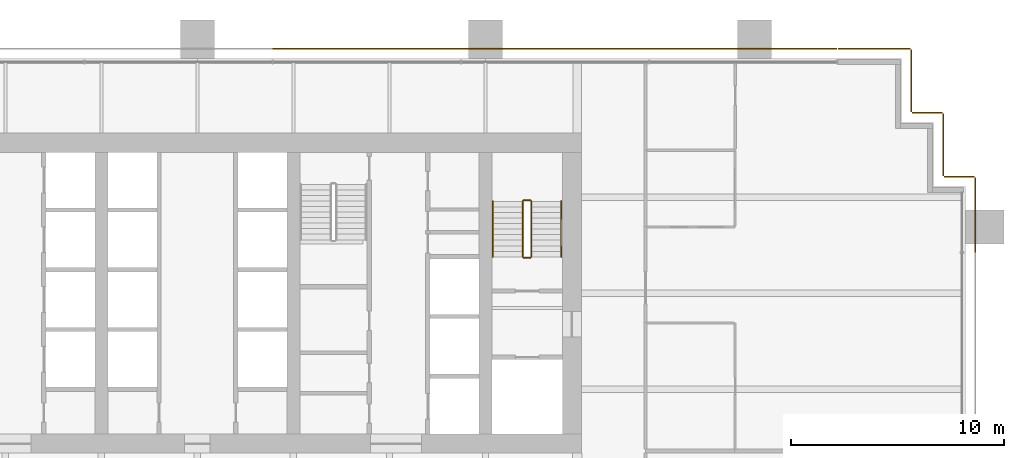
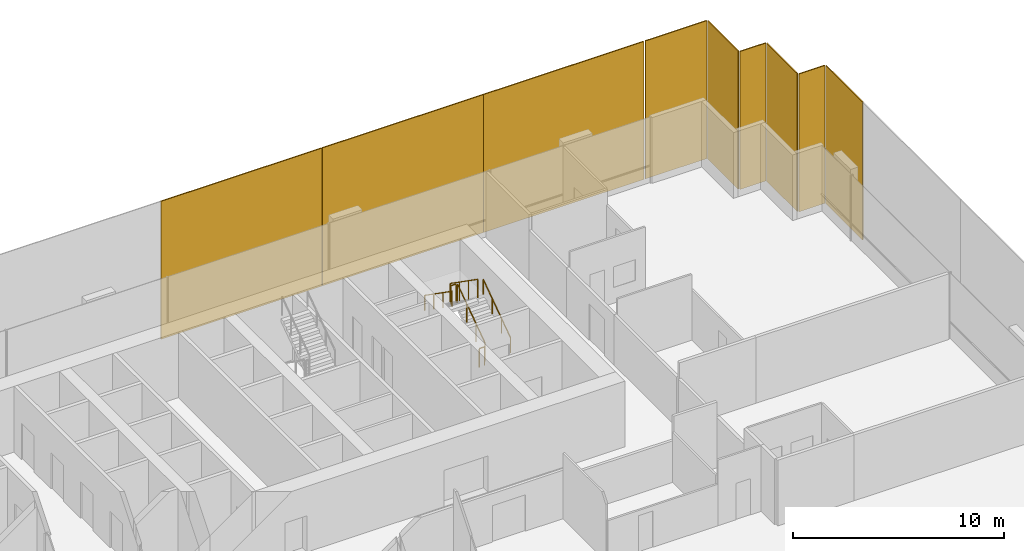
# One storey, part 19 of 19: 9 coverings, 6 railings.
"""IFC4 building model written with IfcOpenShell, lengths in metres."""

from ifc_helpers import new_model, si_unit, direction, frame, origin, origin_2d, place, context, subcontext, project, spatial, rectangle, extrude, material, layer, layer_set, type_object, element, save


model = new_model("IFC4")

# Units and contexts
model_context = context("Model", 3, precision=1e-05, world=origin(), true_north=direction((0.0, 1.0)))
body_context = subcontext(model_context, "Body", "Model", "MODEL_VIEW")
ifc_project = project(units=[si_unit("LENGTHUNIT", "METRE"), si_unit("AREAUNIT", "SQUARE_METRE"), si_unit("VOLUMEUNIT", "CUBIC_METRE"), si_unit("PLANEANGLEUNIT", "RADIAN"), si_unit("MASSUNIT", "GRAM", prefix="KILO")], contexts=[model_context])

# Site, building, storey
site_placement = place(None, origin())
site = spatial("IfcSite", under=ifc_project, at=site_placement, CompositionType="ELEMENT")
building_placement = place(site_placement, origin())
building = spatial("IfcBuilding", under=site, at=building_placement, Name="Rattan Terrace Tower", CompositionType="ELEMENT")
storey_placement = place(building_placement, frame((0.0, 0.0, 79.699951171875)))
storey = spatial("IfcBuildingStorey", under=building, at=storey_placement, Name="L17", CompositionType="ELEMENT", Elevation=79.699951171875)

# Railings
ifc_material_1 = material(Name="Powder-coated steel guard", Category="steel")
railing_type_1 = type_object("IfcRailingType", Name="Core stair guard", PredefinedType="GUARDRAIL", material=ifc_material_1)
railing_1_placement = place(storey_placement, frame((15.64990234375, 1.699951171875, 0.181884765625)))
element("IfcRailing", 1, at=railing_1_placement, inside=storey, type_object=railing_type_1, Name="L17 S2 stair guard 1", PredefinedType="GUARDRAIL", context=body_context, shape_type="SweptSolid", body=[
    extrude(rectangle(XDim=0.048095703125, YDim=0.048095703125, at=origin_2d()), frame((0.0, 0.0, 1.076171875), z_axis=(0.0, 0.819521025635, 0.573049115296), x_axis=(-1.0, 0.0, 0.0)), (0.0, 0.0, 1.0), 3.172607421875),
    extrude(rectangle(XDim=0.0419921875, YDim=0.0419921875, at=origin_2d()), origin(), (0.0, 0.0, 1.0), 1.052001953125),
    extrude(rectangle(XDim=0.0419921875, YDim=0.0419921875, at=origin_2d()), frame((0.0, 0.86669921875, 0.60595703125)), (0.0, 0.0, 1.0), 1.052001953125),
    extrude(rectangle(XDim=0.0419921875, YDim=0.0419921875, at=origin_2d()), frame((0.0, 1.7333984375, 1.212158203125)), (0.0, 0.0, 1.0), 1.052001953125),
    extrude(rectangle(XDim=0.0419921875, YDim=0.0419921875, at=origin_2d()), frame((0.0, 2.60009765625, 1.818115234375)), (0.0, 0.0, 1.0), 1.052001953125),
])
railing_2_placement = place(storey_placement, frame((15.60009765625, 4.35009765625, 2.0)))
element("IfcRailing", 2, at=railing_2_placement, inside=storey, type_object=railing_type_1, Name="L17 S2 stair guard 2", PredefinedType="GUARDRAIL", context=body_context, shape_type="SweptSolid", body=[
    extrude(rectangle(XDim=0.048095703125, YDim=0.048095703125, at=origin_2d()), frame((0.0, 0.0, 1.076171875), z_axis=(-1.0, 0.0, 0.0), x_axis=(0.0, -1.0, 0.0)), (0.0, 0.0, 1.0), 0.300048828125),
    extrude(rectangle(XDim=0.0419921875, YDim=0.0419921875, at=origin_2d()), origin(), (0.0, 0.0, 1.0), 1.052001953125),
    extrude(rectangle(XDim=0.0419921875, YDim=0.0419921875, at=origin_2d()), frame((-0.300048828125, 0.0, 0.0)), (0.0, 0.0, 1.0), 1.052001953125),
])
railing_3_placement = place(storey_placement, frame((15.25, 4.300048828125, 2.181884765625)))
element("IfcRailing", 3, at=railing_3_placement, inside=storey, type_object=railing_type_1, Name="L17 S2 stair guard 3", PredefinedType="GUARDRAIL", context=body_context, shape_type="SweptSolid", body=[
    extrude(rectangle(XDim=0.048095703125, YDim=0.048095703125, at=origin_2d()), frame((0.0, 0.0, 1.076171875), z_axis=(0.0, -0.819521025635, 0.573049115296), x_axis=(1.0, 0.0, 0.0)), (0.0, 0.0, 1.0), 3.172607421875),
    extrude(rectangle(XDim=0.0419921875, YDim=0.0419921875, at=origin_2d()), origin(), (0.0, 0.0, 1.0), 1.052001953125),
    extrude(rectangle(XDim=0.0419921875, YDim=0.0419921875, at=origin_2d()), frame((0.0, -0.86669921875, 0.60595703125)), (0.0, 0.0, 1.0), 1.052001953125),
    extrude(rectangle(XDim=0.0419921875, YDim=0.0419921875, at=origin_2d()), frame((0.0, -1.7333984375, 1.212158203125)), (0.0, 0.0, 1.0), 1.052001953125),
    extrude(rectangle(XDim=0.0419921875, YDim=0.0419921875, at=origin_2d()), frame((0.0, -2.60009765625, 1.818115234375)), (0.0, 0.0, 1.0), 1.052001953125),
])
railing_4_placement = place(storey_placement, frame((15.60009765625, 1.64990234375, 0.0)))
element("IfcRailing", 4, at=railing_4_placement, inside=storey, type_object=railing_type_1, Name="L17 S2 stair guard 4", PredefinedType="GUARDRAIL", context=body_context, shape_type="SweptSolid", body=[
    extrude(rectangle(XDim=0.048095703125, YDim=0.048095703125, at=origin_2d()), frame((0.0, 0.0, 1.076171875), z_axis=(-1.0, 0.0, 0.0), x_axis=(0.0, -1.0, 0.0)), (0.0, 0.0, 1.0), 0.300048828125),
    extrude(rectangle(XDim=0.0419921875, YDim=0.0419921875, at=origin_2d()), origin(), (0.0, 0.0, 1.0), 1.052001953125),
    extrude(rectangle(XDim=0.0419921875, YDim=0.0419921875, at=origin_2d()), frame((-0.300048828125, 0.0, 0.0)), (0.0, 0.0, 1.0), 1.052001953125),
])
ifc_material_2 = material(Name="Powder-coated steel handrail", Category="steel")
railing_type_2 = type_object("IfcRailingType", Name="Core stair handrail", PredefinedType="HANDRAIL", material=ifc_material_2)
railing_5_placement = place(storey_placement, frame((17.050048828125, 1.699951171875, 0.181884765625)))
element("IfcRailing", 5, at=railing_5_placement, inside=storey, type_object=railing_type_2, Name="L17 S2 stair handrail 1", PredefinedType="HANDRAIL", context=body_context, shape_type="SweptSolid", body=[
    extrude(rectangle(XDim=0.048095703125, YDim=0.048095703125, at=origin_2d()), frame((0.0, 0.0, 0.8759765625), z_axis=(0.0, 0.819521025635, 0.573049115296), x_axis=(-1.0, 0.0, 0.0)), (0.0, 0.0, 1.0), 3.172607421875),
    extrude(rectangle(XDim=0.0419921875, YDim=0.0419921875, at=origin_2d()), origin(), (0.0, 0.0, 1.0), 0.851806640625),
    extrude(rectangle(XDim=0.0419921875, YDim=0.0419921875, at=origin_2d()), frame((0.0, 0.86669921875, 0.60595703125)), (0.0, 0.0, 1.0), 0.851806640625),
    extrude(rectangle(XDim=0.0419921875, YDim=0.0419921875, at=origin_2d()), frame((0.0, 1.7333984375, 1.212158203125)), (0.0, 0.0, 1.0), 0.851806640625),
    extrude(rectangle(XDim=0.0419921875, YDim=0.0419921875, at=origin_2d()), frame((0.0, 2.60009765625, 1.818115234375)), (0.0, 0.0, 1.0), 0.851806640625),
])
railing_6_placement = place(storey_placement, frame((13.85009765625, 4.300048828125, 2.181884765625)))
element("IfcRailing", 6, at=railing_6_placement, inside=storey, type_object=railing_type_2, Name="L17 S2 stair handrail 2", PredefinedType="HANDRAIL", context=body_context, shape_type="SweptSolid", body=[
    extrude(rectangle(XDim=0.048095703125, YDim=0.048095703125, at=origin_2d()), frame((0.0, 0.0, 0.8759765625), z_axis=(0.0, -0.819521025635, 0.573049115296), x_axis=(1.0, 0.0, 0.0)), (0.0, 0.0, 1.0), 3.172607421875),
    extrude(rectangle(XDim=0.0419921875, YDim=0.0419921875, at=origin_2d()), origin(), (0.0, 0.0, 1.0), 0.851806640625),
    extrude(rectangle(XDim=0.0419921875, YDim=0.0419921875, at=origin_2d()), frame((0.0, -0.86669921875, 0.60595703125)), (0.0, 0.0, 1.0), 0.851806640625),
    extrude(rectangle(XDim=0.0419921875, YDim=0.0419921875, at=origin_2d()), frame((0.0, -1.7333984375, 1.212158203125)), (0.0, 0.0, 1.0), 0.851806640625),
    extrude(rectangle(XDim=0.0419921875, YDim=0.0419921875, at=origin_2d()), frame((0.0, -2.60009765625, 1.818115234375)), (0.0, 0.0, 1.0), 0.851806640625),
])

# Coverings
ifc_material_3 = material(Name="Perforated terracotta", Category="masonry")
ifc_layer = layer(ifc_material_3, 0.06005859375)
ifc_layer_set = layer_set([ifc_layer], Name="Facade Terracotta Screen Panel")
covering_type = type_object("IfcCoveringType", Name="Facade Terracotta Screen Panel", PredefinedType="CLADDING", material=ifc_layer_set)
covering_1_placement = place(storey_placement, frame((36.449951171875, 3.659912109375, -0.18994140625), z_axis=(0.0, 0.0, 1.0), x_axis=(0.0, 1.0, 0.0)))
element("IfcCovering", 7, at=covering_1_placement, inside=storey, type_object=covering_type, Name="OUTER SKIN panel L17-9", PredefinedType="CLADDING", context=body_context, shape_type="SweptSolid", body=[
    extrude(rectangle(XDim=3.5, YDim=0.06005859375, at=origin_2d()), origin(), (0.0, 0.0, 1.0), 7.97998046875),
])
covering_2_placement = place(storey_placement, frame((35.699951171875, 5.449951171875, -0.18994140625), z_axis=(0.0, 0.0, 1.0), x_axis=(-1.0, 0.0, 0.0)))
element("IfcCovering", 8, at=covering_2_placement, inside=storey, type_object=covering_type, Name="OUTER SKIN panel L17-10", PredefinedType="CLADDING", context=body_context, shape_type="SweptSolid", body=[
    extrude(rectangle(XDim=1.419921875, YDim=0.06005859375, at=origin_2d()), origin(), (0.0, 0.0, 1.0), 7.97998046875),
])
covering_3_placement = place(storey_placement, frame((34.949951171875, 6.949951171875, -0.18994140625), z_axis=(0.0, 0.0, 1.0), x_axis=(0.0, 1.0, 0.0)))
element("IfcCovering", 9, at=covering_3_placement, inside=storey, type_object=covering_type, Name="OUTER SKIN panel L17-11", PredefinedType="CLADDING", context=body_context, shape_type="SweptSolid", body=[
    extrude(rectangle(XDim=2.919921875, YDim=0.06005859375, at=origin_2d()), origin(), (0.0, 0.0, 1.0), 7.97998046875),
])
covering_4_placement = place(storey_placement, frame((34.199951171875, 8.449951171875, -0.18994140625), z_axis=(0.0, 0.0, 1.0), x_axis=(-1.0, 0.0, 0.0)))
element("IfcCovering", 10, at=covering_4_placement, inside=storey, type_object=covering_type, Name="OUTER SKIN panel L17-12", PredefinedType="CLADDING", context=body_context, shape_type="SweptSolid", body=[
    extrude(rectangle(XDim=1.419921875, YDim=0.06005859375, at=origin_2d()), origin(), (0.0, 0.0, 1.0), 7.97998046875),
])
covering_5_placement = place(storey_placement, frame((33.449951171875, 9.949951171875, -0.18994140625), z_axis=(0.0, 0.0, 1.0), x_axis=(0.0, 1.0, 0.0)))
element("IfcCovering", 11, at=covering_5_placement, inside=storey, type_object=covering_type, Name="OUTER SKIN panel L17-13", PredefinedType="CLADDING", context=body_context, shape_type="SweptSolid", body=[
    extrude(rectangle(XDim=2.919921875, YDim=0.06005859375, at=origin_2d()), origin(), (0.0, 0.0, 1.0), 7.97998046875),
])
covering_6_placement = place(storey_placement, frame((31.72509765625, 11.449951171875, -0.18994140625), z_axis=(0.0, 0.0, 1.0), x_axis=(-1.0, 0.0, 0.0)))
element("IfcCovering", 12, at=covering_6_placement, inside=storey, type_object=covering_type, Name="OUTER SKIN panel L17-14", PredefinedType="CLADDING", context=body_context, shape_type="SweptSolid", body=[
    extrude(rectangle(XDim=3.3701171875, YDim=0.06005859375, at=origin_2d()), origin(), (0.0, 0.0, 1.0), 7.97998046875),
])
covering_7_placement = place(storey_placement, frame((25.573486328125, 11.449951171875, -0.18994140625), z_axis=(0.0, 0.0, 1.0), x_axis=(-1.0, 0.0, 0.0)))
element("IfcCovering", 13, at=covering_7_placement, inside=storey, type_object=covering_type, Name="OUTER SKIN panel L17-15", PredefinedType="CLADDING", context=body_context, shape_type="SweptSolid", body=[
    extrude(rectangle(XDim=8.77294921875, YDim=0.06005859375, at=origin_2d()), origin(), (0.0, 0.0, 1.0), 7.97998046875),
])
for number, where, z_axis, x_axis, name in (
    (14, (16.765380859375, 11.449951171875, -0.18994140625), (0.0, 0.0, 1.0), (-1.0, 0.0, 0.0), "OUTER SKIN panel L17-16"),
    (15, (7.9423828125, 11.449951171875, -0.18994140625), (0.0, 0.0, 1.0), (-1.0, 0.0, 0.0), "OUTER SKIN panel L17-17"),
):
    element("IfcCovering", number, at=place(storey_placement, frame(where, z_axis=z_axis, x_axis=x_axis)), inside=storey, type_object=covering_type, Name=name, PredefinedType="CLADDING", context=body_context, shape_type="SweptSolid", body=[
        extrude(rectangle(XDim=8.802978515625, YDim=0.06005859375, at=origin_2d()), origin(), (0.0, 0.0, 1.0), 7.97998046875),
    ])

save(model, "model.ifc")
